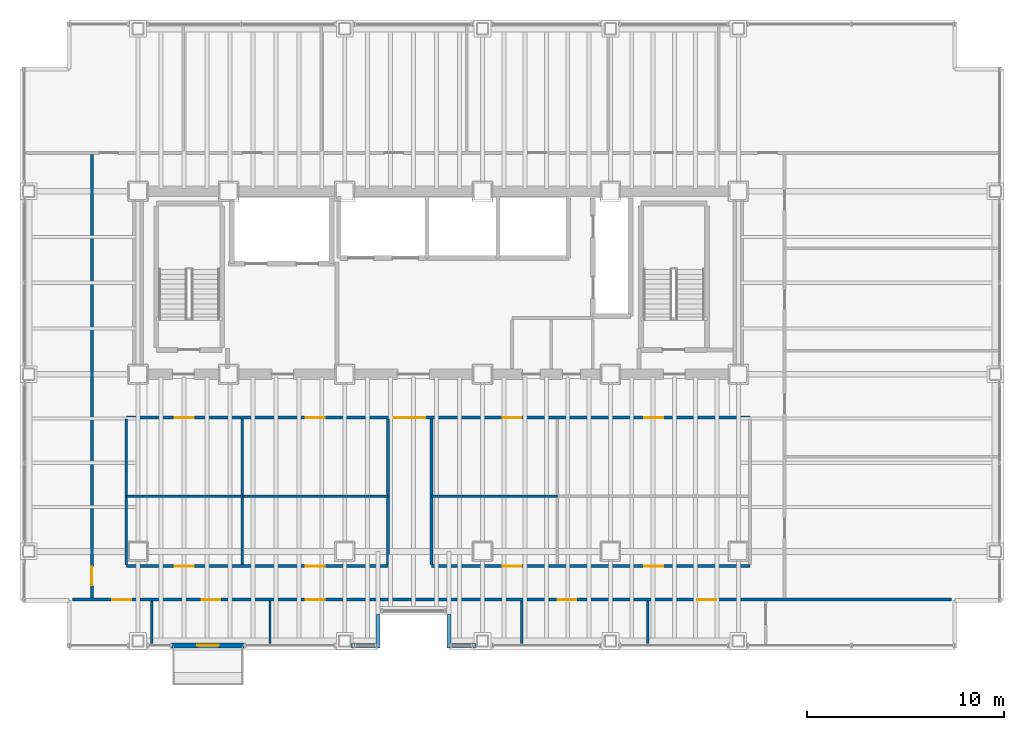
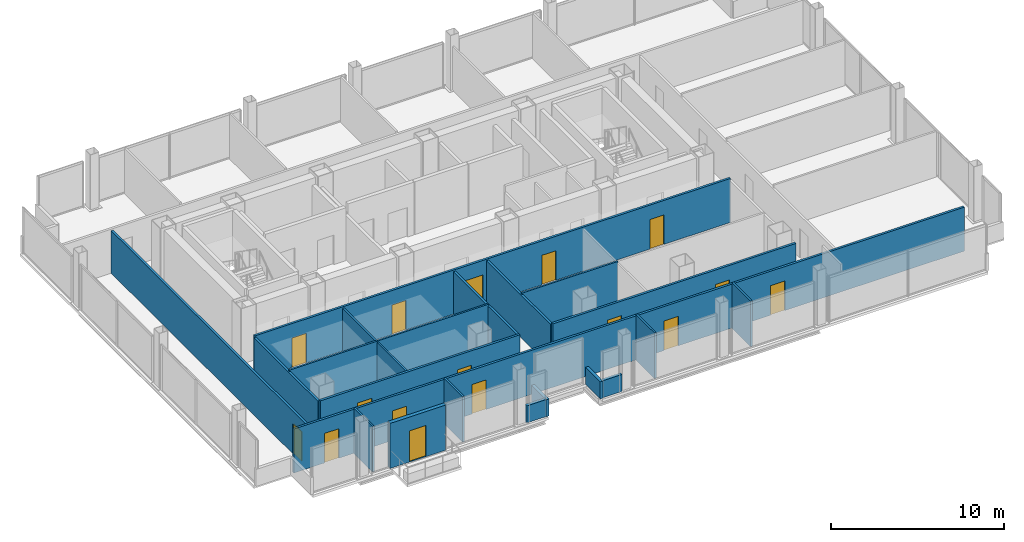
# One storey, part 17 of 20: 21 walls, 16 doors, 16 openings.
"""IFC4 building model written with IfcOpenShell, lengths in metres."""

from ifc_helpers import new_model, si_unit, direction, frame, frame_2d, origin, place, context, subcontext, project, spatial, rectangle, extrude, material, layer, layer_set, type_object, element, fill, save


model = new_model("IFC4")

# Units and contexts
model_context = context("Model", 3, precision=1e-05, world=origin(), true_north=direction((0.0, 1.0)))
body_context = subcontext(model_context, "Body", "Model", "MODEL_VIEW")
ifc_project = project(units=[si_unit("LENGTHUNIT", "METRE"), si_unit("AREAUNIT", "SQUARE_METRE"), si_unit("VOLUMEUNIT", "CUBIC_METRE"), si_unit("PLANEANGLEUNIT", "RADIAN"), si_unit("MASSUNIT", "GRAM", prefix="KILO")], contexts=[model_context])

# Site, building, storey
site_placement = place(None, origin())
site = spatial("IfcSite", under=ifc_project, at=site_placement, CompositionType="ELEMENT")
building_placement = place(site_placement, origin())
building = spatial("IfcBuilding", under=site, at=building_placement, Name="Noeulbin Bourse Tower", CompositionType="ELEMENT")
storey_placement = place(building_placement, frame((0.0, 0.0, 65.5)))
storey = spatial("IfcBuildingStorey", under=building, at=storey_placement, Name="L16", CompositionType="ELEMENT", Elevation=65.5)

# Wall, opening, door
ifc_material_1 = material(Name="Precast Concrete C40/50", Category="concrete")
ifc_layer_1 = layer(ifc_material_1, 0.25)
ifc_layer_set_1 = layer_set([ifc_layer_1], Name="Precast Concrete C40/50")
wall_type_1 = type_object("IfcWallType", Name="WAL-EXT-250", PredefinedType="STANDARD", material=ifc_layer_set_1)
wall_1_placement = place(storey_placement, frame((15.199951171875, 15.219970703125, 0.0), z_axis=(0.0, 0.0, 1.0), x_axis=(1.0, 0.0, 0.0)))
wall_1 = element("IfcWall", 1, at=wall_1_placement, inside=storey, type_object=wall_type_1, Name="Balcony Threshold Wall L16", PredefinedType="STANDARD", context=body_context, shape_type="SweptSolid", body=[
    extrude(rectangle(XDim=3.699951171875, YDim=0.25, at=frame_2d((1.85009765625, 0.0))), origin(), (0.0, 0.0, 1.0), 3.179931640625),
])
opening_1_placement = place(wall_1_placement, frame((1.300048828125, 0.0, 0.0)))
opening_1 = element("IfcOpeningElement", 2, at=opening_1_placement, cuts=wall_1, Name="Opening BD-11", PredefinedType="OPENING", context=body_context, shape_type="SweptSolid", body=[
    extrude(rectangle(XDim=1.10009765625, YDim=2.199951171875, at=frame_2d((0.550048828125, 1.10009765625))), frame((0.0, 0.135009765625, 0.0), z_axis=(0.0, -1.0, 0.0), x_axis=(1.0, 0.0, 0.0)), (0.0, 0.0, 1.0), 0.27001953125),
])
ifc_material_2 = material(Name="Thermally Broken Aluminium Framed Glass", Category="aluminium")
door_type_1 = type_object("IfcDoorType", Name="DR-BAL-1100", OperationType="SINGLE_SWING_LEFT", PredefinedType="DOOR", material=ifc_material_2)
door_1_placement = place(opening_1_placement, origin())
door_1 = element("IfcDoor", 3, at=door_1_placement, inside=storey, type_object=door_type_1, Name="Tree-Balcony Access Door BD-L16", OperationType="SINGLE_SWING_RIGHT", OverallHeight=2.199951171875, OverallWidth=1.10009765625, PredefinedType="DOOR", context=body_context, shape_type="SweptSolid", body=[
    extrude(rectangle(XDim=1.10009765625, YDim=2.199951171875, at=frame_2d((0.550048828125, 1.10009765625))), frame((0.0, 0.02490234375, 0.0), z_axis=(0.0, -1.0, 0.0), x_axis=(1.0, 0.0, 0.0)), (0.0, 0.0, 1.0), 0.050048828125),
])
fill(opening_1, door_1)

# Walls
ifc_material_3 = material(Name="Concrete C40/50", Category="concrete")
ifc_layer_2 = layer(ifc_material_3, 0.199951171875)
ifc_layer_set_2 = layer_set([ifc_layer_2], Name="Concrete C40/50")
wall_type_2 = type_object("IfcWallType", Name="WAL-PAR-200", PredefinedType="PARAPET", material=ifc_layer_set_2)
for number, where, z_axis, x_axis, name in (
    (4, (24.320068359375, 15.219970703125, 0.0), (0.0, 0.0, 1.0), (1.0, 0.0, 0.0), "Perimeter Pier Spandrel Parapet L16-S1"),
    (5, (29.35009765625, 15.219970703125, 0.0), (0.0, 0.0, 1.0), (1.0, 0.0, 0.0), "Perimeter Pier Spandrel Parapet L16-S2"),
):
    element("IfcWall", number, at=place(storey_placement, frame(where, z_axis=z_axis, x_axis=x_axis)), inside=storey, type_object=wall_type_2, Name=name, PredefinedType="PARAPET", context=body_context, shape_type="SweptSolid", body=[
        extrude(rectangle(XDim=1.329833984375, YDim=0.199951171875, at=frame_2d((0.6650390625, 0.0))), origin(), (0.0, 0.0, 1.0), 1.199951171875),
    ])
for number, where, z_axis, x_axis, name in (
    (6, (25.699951171875, 15.10009765625, 0.0), (0.0, 0.0, 1.0), (0.0, 1.0, 0.0), "Sky-Garden Recess Parapet L16-W"),
    (7, (29.300048828125, 16.800048828125, 0.0), (0.0, 0.0, 1.0), (0.0, -1.0, 0.0), "Sky-Garden Recess Parapet L16-E"),
):
    element("IfcWall", number, at=place(storey_placement, frame(where, z_axis=z_axis, x_axis=x_axis)), inside=storey, type_object=wall_type_2, Name=name, PredefinedType="PARAPET", context=body_context, shape_type="SweptSolid", body=[
        extrude(rectangle(XDim=1.699951171875, YDim=0.199951171875, at=frame_2d((0.85009765625, 0.0))), origin(), (0.0, 0.0, 1.0), 1.199951171875),
    ])
ifc_material_4 = material(Name="Steel Stud Gypsum Partition", Category="steel")
ifc_layer_3 = layer(ifc_material_4, 0.1201171875)
ifc_layer_set_3 = layer_set([ifc_layer_3], Name="Steel Stud Gypsum Partition")
wall_type_3 = type_object("IfcWallType", Name="WAL-PRT-120", PredefinedType="PARTITIONING", material=ifc_layer_set_3)
wall_2_placement = place(storey_placement, frame((12.89990234375, 22.800048828125, 0.0), z_axis=(0.0, 0.0, 1.0), x_axis=(1.0, 0.0, 0.0)))
element("IfcWall", 8, at=wall_2_placement, inside=storey, type_object=wall_type_3, Name="Interior Partition Wall L16-07", PredefinedType="PARTITIONING", context=body_context, shape_type="SweptSolid", body=[
    extrude(rectangle(XDim=5.900146484375, YDim=0.1201171875, at=frame_2d((2.9501953125, 0.0))), origin(), (0.0, 0.0, 1.0), 3.10009765625),
])
wall_3_placement = place(storey_placement, frame((18.800048828125, 22.800048828125, 0.0), z_axis=(0.0, 0.0, 1.0), x_axis=(1.0, 0.0, 0.0)))
element("IfcWall", 9, at=wall_3_placement, inside=storey, type_object=wall_type_3, Name="Interior Partition Wall L16-08", PredefinedType="PARTITIONING", context=body_context, shape_type="SweptSolid", body=[
    extrude(rectangle(XDim=7.39990234375, YDim=0.1201171875, at=frame_2d((3.699951171875, 0.0))), origin(), (0.0, 0.0, 1.0), 3.10009765625),
])
wall_4_placement = place(storey_placement, frame((28.39990234375, 22.800048828125, 0.0), z_axis=(0.0, 0.0, 1.0), x_axis=(1.0, 0.0, 0.0)))
element("IfcWall", 10, at=wall_4_placement, inside=storey, type_object=wall_type_3, Name="Interior Partition Wall L16-09", PredefinedType="PARTITIONING", context=body_context, shape_type="SweptSolid", body=[
    extrude(rectangle(XDim=6.400146484375, YDim=0.1201171875, at=frame_2d((3.2001953125, 0.0))), origin(), (0.0, 0.0, 1.0), 3.10009765625),
])
for number, where, z_axis, x_axis, name in (
    (11, (14.199951171875, 15.31005859375, 0.0), (0.0, 0.0, 1.0), (0.0, 1.0, 0.0), "Interior Partition Wall L16-27"),
    (12, (20.199951171875, 15.31005859375, 0.0), (0.0, 0.0, 1.0), (0.0, 1.0, 0.0), "Interior Partition Wall L16-28"),
    (13, (33.0, 15.31005859375, 0.0), (0.0, 0.0, 1.0), (0.0, 1.0, 0.0), "Interior Partition Wall L16-29"),
    (14, (39.39990234375, 15.31005859375, 0.0), (0.0, 0.0, 1.0), (0.0, 1.0, 0.0), "Interior Partition Wall L16-30"),
):
    element("IfcWall", number, at=place(storey_placement, frame(where, z_axis=z_axis, x_axis=x_axis)), inside=storey, type_object=wall_type_3, Name=name, PredefinedType="PARTITIONING", context=body_context, shape_type="SweptSolid", body=[
        extrude(rectangle(XDim=2.155029296875, YDim=0.1201171875, at=frame_2d((1.07763671875, 0.0))), origin(), (0.0, 0.0, 1.0), 3.2119140625),
    ])
wall_5_placement = place(storey_placement, frame((18.800048828125, 19.3349609375, 0.0), z_axis=(0.0, 0.0, 1.0), x_axis=(0.0, 1.0, 0.0)))
element("IfcWall", 15, at=wall_5_placement, inside=storey, type_object=wall_type_3, Name="Interior Partition Wall L16-32", PredefinedType="PARTITIONING", context=body_context, shape_type="SweptSolid", body=[
    extrude(rectangle(XDim=7.380126953125, YDim=0.1201171875, at=frame_2d((3.68994140625, 0.0))), origin(), (0.0, 0.0, 1.0), 3.0),
])

# Wall, openings, doors
ifc_material_5 = material(Name="Steel Stud Acoustic Gypsum Board", Category="steel")
ifc_layer_4 = layer(ifc_material_5, 0.14990234375)
ifc_layer_set_4 = layer_set([ifc_layer_4], Name="Steel Stud Acoustic Gypsum Board")
wall_type_4 = type_object("IfcWallType", Name="WAL-PRT-150", PredefinedType="PARTITIONING", material=ifc_layer_set_4)
wall_6_placement = place(storey_placement, frame((12.89990234375, 26.800048828125, 0.0), z_axis=(0.0, 0.0, 1.0), x_axis=(1.0, 0.0, 0.0)))
wall_6 = element("IfcWall", 16, at=wall_6_placement, inside=storey, type_object=wall_type_4, Name="Interior Partition Wall L16-03", PredefinedType="PARTITIONING", context=body_context, shape_type="SweptSolid", body=[
    extrude(rectangle(XDim=31.7001953125, YDim=0.14990234375, at=frame_2d((15.85009765625, 0.0))), origin(), (0.0, 0.0, 1.0), 3.10009765625),
])
opening_2_placement = place(wall_6_placement, frame((13.60009765625, 0.0, 0.0)))
opening_2 = element("IfcOpeningElement", 17, at=opening_2_placement, cuts=wall_6, Name="Opening ID-16", PredefinedType="OPENING", context=body_context, shape_type="SweptSolid", body=[
    extrude(rectangle(XDim=1.60009765625, YDim=2.080078125, at=frame_2d((0.800048828125, 1.0400390625))), frame((0.0, 0.0849609375, 0.0), z_axis=(0.0, -1.0, 0.0), x_axis=(1.0, 0.0, 0.0)), (0.0, 0.0, 1.0), 0.169921875),
])
opening_3_placement = place(wall_6_placement, frame((2.47509765625, 0.0, 0.0)))
opening_3 = element("IfcOpeningElement", 18, at=opening_3_placement, cuts=wall_6, Name="Opening ID-09", PredefinedType="OPENING", context=body_context, shape_type="SweptSolid", body=[
    extrude(rectangle(XDim=0.949951171875, YDim=2.080078125, at=frame_2d((0.47509765625, 1.0400390625))), frame((0.0, 0.0849609375, 0.0), z_axis=(0.0, -1.0, 0.0), x_axis=(1.0, 0.0, 0.0)), (0.0, 0.0, 1.0), 0.169921875),
])
opening_4_placement = place(wall_6_placement, frame((9.125, 0.0, 0.0)))
opening_4 = element("IfcOpeningElement", 19, at=opening_4_placement, cuts=wall_6, Name="Opening ID-09", PredefinedType="OPENING", context=body_context, shape_type="SweptSolid", body=[
    extrude(rectangle(XDim=0.949951171875, YDim=2.080078125, at=frame_2d((0.47509765625, 1.0400390625))), frame((0.0, 0.0849609375, 0.0), z_axis=(0.0, -1.0, 0.0), x_axis=(1.0, 0.0, 0.0)), (0.0, 0.0, 1.0), 0.169921875),
])
opening_5_placement = place(wall_6_placement, frame((19.125, 0.0, 0.0)))
opening_5 = element("IfcOpeningElement", 20, at=opening_5_placement, cuts=wall_6, Name="Opening ID-09", PredefinedType="OPENING", context=body_context, shape_type="SweptSolid", body=[
    extrude(rectangle(XDim=0.949951171875, YDim=2.080078125, at=frame_2d((0.47509765625, 1.0400390625))), frame((0.0, 0.0849609375, 0.0), z_axis=(0.0, -1.0, 0.0), x_axis=(1.0, 0.0, 0.0)), (0.0, 0.0, 1.0), 0.169921875),
])
opening_6_placement = place(wall_6_placement, frame((26.324951171875, 0.0, 0.0)))
opening_6 = element("IfcOpeningElement", 21, at=opening_6_placement, cuts=wall_6, Name="Opening ID-09", PredefinedType="OPENING", context=body_context, shape_type="SweptSolid", body=[
    extrude(rectangle(XDim=0.949951171875, YDim=2.080078125, at=frame_2d((0.47509765625, 1.0400390625))), frame((0.0, 0.0849609375, 0.0), z_axis=(0.0, -1.0, 0.0), x_axis=(1.0, 0.0, 0.0)), (0.0, 0.0, 1.0), 0.169921875),
])
ifc_material_6 = material(Name="Acoustic Glazed Aluminium", Category="aluminium")
door_type_2 = type_object("IfcDoorType", Name="DR-DBL-1600", OperationType="DOUBLE_DOOR_SINGLE_SWING", PredefinedType="DOOR", material=ifc_material_6)
door_2_placement = place(opening_2_placement, origin())
door_2 = element("IfcDoor", 22, at=door_2_placement, inside=storey, type_object=door_type_2, Name="Interior Door L16-07", OperationType="DOUBLE_DOOR_SINGLE_SWING", OverallHeight=2.080078125, OverallWidth=1.60009765625, PredefinedType="DOOR", context=body_context, shape_type="SweptSolid", body=[
    extrude(rectangle(XDim=1.60009765625, YDim=2.080078125, at=frame_2d((0.800048828125, 1.0400390625))), frame((0.0, 0.02490234375, 0.0), z_axis=(0.0, -1.0, 0.0), x_axis=(1.0, 0.0, 0.0)), (0.0, 0.0, 1.0), 0.050048828125),
])
fill(opening_2, door_2)
ifc_material_7 = material(Name="Acoustic Solid-Core Timber", Category="wood")
door_type_3 = type_object("IfcDoorType", Name="DR-SINGLE-950", OperationType="SINGLE_SWING_LEFT", PredefinedType="DOOR", material=ifc_material_7)
door_3_placement = place(opening_3_placement, origin())
door_3 = element("IfcDoor", 23, at=door_3_placement, inside=storey, type_object=door_type_3, Name="Interior Door L16-14", OperationType="SINGLE_SWING_LEFT", OverallHeight=2.080078125, OverallWidth=0.949951171875, PredefinedType="DOOR", context=body_context, shape_type="SweptSolid", body=[
    extrude(rectangle(XDim=0.949951171875, YDim=2.080078125, at=frame_2d((0.47509765625, 1.0400390625))), frame((0.0, 0.02490234375, 0.0), z_axis=(0.0, -1.0, 0.0), x_axis=(1.0, 0.0, 0.0)), (0.0, 0.0, 1.0), 0.050048828125),
])
fill(opening_3, door_3)
door_4_placement = place(opening_4_placement, origin())
door_4 = element("IfcDoor", 24, at=door_4_placement, inside=storey, type_object=door_type_3, Name="Interior Door L16-16", OperationType="SINGLE_SWING_LEFT", OverallHeight=2.080078125, OverallWidth=0.949951171875, PredefinedType="DOOR", context=body_context, shape_type="SweptSolid", body=[
    extrude(rectangle(XDim=0.949951171875, YDim=2.080078125, at=frame_2d((0.47509765625, 1.0400390625))), frame((0.0, 0.02490234375, 0.0), z_axis=(0.0, -1.0, 0.0), x_axis=(1.0, 0.0, 0.0)), (0.0, 0.0, 1.0), 0.050048828125),
])
fill(opening_4, door_4)
door_5_placement = place(opening_5_placement, origin())
door_5 = element("IfcDoor", 25, at=door_5_placement, inside=storey, type_object=door_type_3, Name="Interior Door L16-18", OperationType="SINGLE_SWING_LEFT", OverallHeight=2.080078125, OverallWidth=0.949951171875, PredefinedType="DOOR", context=body_context, shape_type="SweptSolid", body=[
    extrude(rectangle(XDim=0.949951171875, YDim=2.080078125, at=frame_2d((0.47509765625, 1.0400390625))), frame((0.0, 0.02490234375, 0.0), z_axis=(0.0, -1.0, 0.0), x_axis=(1.0, 0.0, 0.0)), (0.0, 0.0, 1.0), 0.050048828125),
])
fill(opening_5, door_5)
door_6_placement = place(opening_6_placement, origin())
door_6 = element("IfcDoor", 26, at=door_6_placement, inside=storey, type_object=door_type_3, Name="Interior Door L16-20", OperationType="SINGLE_SWING_LEFT", OverallHeight=2.080078125, OverallWidth=0.949951171875, PredefinedType="DOOR", context=body_context, shape_type="SweptSolid", body=[
    extrude(rectangle(XDim=0.949951171875, YDim=2.080078125, at=frame_2d((0.47509765625, 1.0400390625))), frame((0.0, 0.02490234375, 0.0), z_axis=(0.0, -1.0, 0.0), x_axis=(1.0, 0.0, 0.0)), (0.0, 0.0, 1.0), 0.050048828125),
])
fill(opening_6, door_6)

wall_7_placement = place(storey_placement, frame((10.159912109375, 17.550048828125, 0.0), z_axis=(0.0, 0.0, 1.0), x_axis=(1.0, 0.0, 0.0)))
wall_7 = element("IfcWall", 27, at=wall_7_placement, inside=storey, type_object=wall_type_4, Name="Interior Partition Wall L16-04", PredefinedType="PARTITIONING", context=body_context, shape_type="SweptSolid", body=[
    extrude(rectangle(XDim=44.68017578125, YDim=0.14990234375, at=frame_2d((22.340087890625, 0.0))), origin(), (0.0, 0.0, 1.0), 3.10009765625),
])
opening_7_placement = place(wall_7_placement, frame((2.0400390625, 0.0, 0.0)))
opening_7 = element("IfcOpeningElement", 28, at=opening_7_placement, cuts=wall_7, Name="Opening ID-09", PredefinedType="OPENING", context=body_context, shape_type="SweptSolid", body=[
    extrude(rectangle(XDim=0.949951171875, YDim=2.080078125, at=frame_2d((0.47509765625, 1.0400390625))), frame((0.0, 0.0849609375, 0.0), z_axis=(0.0, -1.0, 0.0), x_axis=(1.0, 0.0, 0.0)), (0.0, 0.0, 1.0), 0.169921875),
])
opening_8_placement = place(wall_7_placement, frame((6.56494140625, 0.0, 0.0)))
opening_8 = element("IfcOpeningElement", 29, at=opening_8_placement, cuts=wall_7, Name="Opening ID-09", PredefinedType="OPENING", context=body_context, shape_type="SweptSolid", body=[
    extrude(rectangle(XDim=0.949951171875, YDim=2.080078125, at=frame_2d((0.47509765625, 1.0400390625))), frame((0.0, 0.0849609375, 0.0), z_axis=(0.0, -1.0, 0.0), x_axis=(1.0, 0.0, 0.0)), (0.0, 0.0, 1.0), 0.169921875),
])
opening_9_placement = place(wall_7_placement, frame((11.864990234375, 0.0, 0.0)))
opening_9 = element("IfcOpeningElement", 30, at=opening_9_placement, cuts=wall_7, Name="Opening ID-09", PredefinedType="OPENING", context=body_context, shape_type="SweptSolid", body=[
    extrude(rectangle(XDim=0.949951171875, YDim=2.080078125, at=frame_2d((0.47509765625, 1.0400390625))), frame((0.0, 0.0849609375, 0.0), z_axis=(0.0, -1.0, 0.0), x_axis=(1.0, 0.0, 0.0)), (0.0, 0.0, 1.0), 0.169921875),
])
opening_10_placement = place(wall_7_placement, frame((24.6650390625, 0.0, 0.0)))
opening_10 = element("IfcOpeningElement", 31, at=opening_10_placement, cuts=wall_7, Name="Opening ID-09", PredefinedType="OPENING", context=body_context, shape_type="SweptSolid", body=[
    extrude(rectangle(XDim=0.949951171875, YDim=2.080078125, at=frame_2d((0.47509765625, 1.0400390625))), frame((0.0, 0.0849609375, 0.0), z_axis=(0.0, -1.0, 0.0), x_axis=(1.0, 0.0, 0.0)), (0.0, 0.0, 1.0), 0.169921875),
])
opening_11_placement = place(wall_7_placement, frame((31.764892578125, 0.0, 0.0)))
opening_11 = element("IfcOpeningElement", 32, at=opening_11_placement, cuts=wall_7, Name="Opening ID-09", PredefinedType="OPENING", context=body_context, shape_type="SweptSolid", body=[
    extrude(rectangle(XDim=0.949951171875, YDim=2.080078125, at=frame_2d((0.47509765625, 1.0400390625))), frame((0.0, 0.0849609375, 0.0), z_axis=(0.0, -1.0, 0.0), x_axis=(1.0, 0.0, 0.0)), (0.0, 0.0, 1.0), 0.169921875),
])
door_7_placement = place(opening_7_placement, origin())
door_7 = element("IfcDoor", 33, at=door_7_placement, inside=storey, type_object=door_type_3, Name="Interior Door L16-08", OperationType="SINGLE_SWING_LEFT", OverallHeight=2.080078125, OverallWidth=0.949951171875, PredefinedType="DOOR", context=body_context, shape_type="SweptSolid", body=[
    extrude(rectangle(XDim=0.949951171875, YDim=2.080078125, at=frame_2d((0.47509765625, 1.0400390625))), frame((0.0, 0.02490234375, 0.0), z_axis=(0.0, -1.0, 0.0), x_axis=(1.0, 0.0, 0.0)), (0.0, 0.0, 1.0), 0.050048828125),
])
fill(opening_7, door_7)
door_8_placement = place(opening_8_placement, origin())
door_8 = element("IfcDoor", 34, at=door_8_placement, inside=storey, type_object=door_type_3, Name="Interior Door L16-09", OperationType="SINGLE_SWING_RIGHT", OverallHeight=2.080078125, OverallWidth=0.949951171875, PredefinedType="DOOR", context=body_context, shape_type="SweptSolid", body=[
    extrude(rectangle(XDim=0.949951171875, YDim=2.080078125, at=frame_2d((0.47509765625, 1.0400390625))), frame((0.0, 0.02490234375, 0.0), z_axis=(0.0, -1.0, 0.0), x_axis=(1.0, 0.0, 0.0)), (0.0, 0.0, 1.0), 0.050048828125),
])
fill(opening_8, door_8)
door_9_placement = place(opening_9_placement, origin())
door_9 = element("IfcDoor", 35, at=door_9_placement, inside=storey, type_object=door_type_3, Name="Interior Door L16-10", OperationType="SINGLE_SWING_LEFT", OverallHeight=2.080078125, OverallWidth=0.949951171875, PredefinedType="DOOR", context=body_context, shape_type="SweptSolid", body=[
    extrude(rectangle(XDim=0.949951171875, YDim=2.080078125, at=frame_2d((0.47509765625, 1.0400390625))), frame((0.0, 0.02490234375, 0.0), z_axis=(0.0, -1.0, 0.0), x_axis=(1.0, 0.0, 0.0)), (0.0, 0.0, 1.0), 0.050048828125),
])
fill(opening_9, door_9)
door_10_placement = place(opening_10_placement, origin())
door_10 = element("IfcDoor", 36, at=door_10_placement, inside=storey, type_object=door_type_3, Name="Interior Door L16-11", OperationType="SINGLE_SWING_RIGHT", OverallHeight=2.080078125, OverallWidth=0.949951171875, PredefinedType="DOOR", context=body_context, shape_type="SweptSolid", body=[
    extrude(rectangle(XDim=0.949951171875, YDim=2.080078125, at=frame_2d((0.47509765625, 1.0400390625))), frame((0.0, 0.02490234375, 0.0), z_axis=(0.0, -1.0, 0.0), x_axis=(1.0, 0.0, 0.0)), (0.0, 0.0, 1.0), 0.050048828125),
])
fill(opening_10, door_10)
door_11_placement = place(opening_11_placement, origin())
door_11 = element("IfcDoor", 37, at=door_11_placement, inside=storey, type_object=door_type_3, Name="Interior Door L16-12", OperationType="SINGLE_SWING_LEFT", OverallHeight=2.080078125, OverallWidth=0.949951171875, PredefinedType="DOOR", context=body_context, shape_type="SweptSolid", body=[
    extrude(rectangle(XDim=0.949951171875, YDim=2.080078125, at=frame_2d((0.47509765625, 1.0400390625))), frame((0.0, 0.02490234375, 0.0), z_axis=(0.0, -1.0, 0.0), x_axis=(1.0, 0.0, 0.0)), (0.0, 0.0, 1.0), 0.050048828125),
])
fill(opening_11, door_11)

wall_8_placement = place(storey_placement, frame((12.89990234375, 19.25, 0.0), z_axis=(0.0, 0.0, 1.0), x_axis=(1.0, 0.0, 0.0)))
wall_8 = element("IfcWall", 38, at=wall_8_placement, inside=storey, type_object=wall_type_4, Name="Interior Partition Wall L16-05", PredefinedType="PARTITIONING", context=body_context, shape_type="SweptSolid", body=[
    extrude(rectangle(XDim=13.300048828125, YDim=0.14990234375, at=frame_2d((6.64990234375, 0.0))), origin(), (0.0, 0.0, 1.0), 3.10009765625),
])
opening_12_placement = place(wall_8_placement, frame((2.47509765625, 0.0, 0.0)))
opening_12 = element("IfcOpeningElement", 39, at=opening_12_placement, cuts=wall_8, Name="Opening ID-09", PredefinedType="OPENING", context=body_context, shape_type="SweptSolid", body=[
    extrude(rectangle(XDim=0.949951171875, YDim=2.080078125, at=frame_2d((0.47509765625, 1.0400390625))), frame((0.0, 0.0849609375, 0.0), z_axis=(0.0, -1.0, 0.0), x_axis=(1.0, 0.0, 0.0)), (0.0, 0.0, 1.0), 0.169921875),
])
opening_13_placement = place(wall_8_placement, frame((9.125, 0.0, 0.0)))
opening_13 = element("IfcOpeningElement", 40, at=opening_13_placement, cuts=wall_8, Name="Opening ID-09", PredefinedType="OPENING", context=body_context, shape_type="SweptSolid", body=[
    extrude(rectangle(XDim=0.949951171875, YDim=2.080078125, at=frame_2d((0.47509765625, 1.0400390625))), frame((0.0, 0.0849609375, 0.0), z_axis=(0.0, -1.0, 0.0), x_axis=(1.0, 0.0, 0.0)), (0.0, 0.0, 1.0), 0.169921875),
])
door_12_placement = place(opening_12_placement, origin())
door_12 = element("IfcDoor", 41, at=door_12_placement, inside=storey, type_object=door_type_3, Name="Interior Door L16-15", OperationType="SINGLE_SWING_RIGHT", OverallHeight=2.080078125, OverallWidth=0.949951171875, PredefinedType="DOOR", context=body_context, shape_type="SweptSolid", body=[
    extrude(rectangle(XDim=0.949951171875, YDim=2.080078125, at=frame_2d((0.47509765625, 1.0400390625))), frame((0.0, 0.02490234375, 0.0), z_axis=(0.0, -1.0, 0.0), x_axis=(1.0, 0.0, 0.0)), (0.0, 0.0, 1.0), 0.050048828125),
])
fill(opening_12, door_12)
door_13_placement = place(opening_13_placement, origin())
door_13 = element("IfcDoor", 42, at=door_13_placement, inside=storey, type_object=door_type_3, Name="Interior Door L16-17", OperationType="SINGLE_SWING_RIGHT", OverallHeight=2.080078125, OverallWidth=0.949951171875, PredefinedType="DOOR", context=body_context, shape_type="SweptSolid", body=[
    extrude(rectangle(XDim=0.949951171875, YDim=2.080078125, at=frame_2d((0.47509765625, 1.0400390625))), frame((0.0, 0.02490234375, 0.0), z_axis=(0.0, -1.0, 0.0), x_axis=(1.0, 0.0, 0.0)), (0.0, 0.0, 1.0), 0.050048828125),
])
fill(opening_13, door_13)

wall_9_placement = place(storey_placement, frame((28.39990234375, 19.25, 0.0), z_axis=(0.0, 0.0, 1.0), x_axis=(1.0, 0.0, 0.0)))
wall_9 = element("IfcWall", 43, at=wall_9_placement, inside=storey, type_object=wall_type_4, Name="Interior Partition Wall L16-06", PredefinedType="PARTITIONING", context=body_context, shape_type="SweptSolid", body=[
    extrude(rectangle(XDim=16.2001953125, YDim=0.14990234375, at=frame_2d((8.10009765625, 0.0))), origin(), (0.0, 0.0, 1.0), 3.10009765625),
])
opening_14_placement = place(wall_9_placement, frame((3.625, 0.0, 0.0)))
opening_14 = element("IfcOpeningElement", 44, at=opening_14_placement, cuts=wall_9, Name="Opening ID-09", PredefinedType="OPENING", context=body_context, shape_type="SweptSolid", body=[
    extrude(rectangle(XDim=0.949951171875, YDim=2.080078125, at=frame_2d((0.47509765625, 1.0400390625))), frame((0.0, 0.0849609375, 0.0), z_axis=(0.0, -1.0, 0.0), x_axis=(1.0, 0.0, 0.0)), (0.0, 0.0, 1.0), 0.169921875),
])
opening_15_placement = place(wall_9_placement, frame((10.824951171875, 0.0, 0.0)))
opening_15 = element("IfcOpeningElement", 45, at=opening_15_placement, cuts=wall_9, Name="Opening ID-09", PredefinedType="OPENING", context=body_context, shape_type="SweptSolid", body=[
    extrude(rectangle(XDim=0.949951171875, YDim=2.080078125, at=frame_2d((0.47509765625, 1.0400390625))), frame((0.0, 0.0849609375, 0.0), z_axis=(0.0, -1.0, 0.0), x_axis=(1.0, 0.0, 0.0)), (0.0, 0.0, 1.0), 0.169921875),
])
door_14_placement = place(opening_14_placement, origin())
door_14 = element("IfcDoor", 46, at=door_14_placement, inside=storey, type_object=door_type_3, Name="Interior Door L16-19", OperationType="SINGLE_SWING_RIGHT", OverallHeight=2.080078125, OverallWidth=0.949951171875, PredefinedType="DOOR", context=body_context, shape_type="SweptSolid", body=[
    extrude(rectangle(XDim=0.949951171875, YDim=2.080078125, at=frame_2d((0.47509765625, 1.0400390625))), frame((0.0, 0.02490234375, 0.0), z_axis=(0.0, -1.0, 0.0), x_axis=(1.0, 0.0, 0.0)), (0.0, 0.0, 1.0), 0.050048828125),
])
fill(opening_14, door_14)
door_15_placement = place(opening_15_placement, origin())
door_15 = element("IfcDoor", 47, at=door_15_placement, inside=storey, type_object=door_type_3, Name="Interior Door L16-21", OperationType="SINGLE_SWING_RIGHT", OverallHeight=2.080078125, OverallWidth=0.949951171875, PredefinedType="DOOR", context=body_context, shape_type="SweptSolid", body=[
    extrude(rectangle(XDim=0.949951171875, YDim=2.080078125, at=frame_2d((0.47509765625, 1.0400390625))), frame((0.0, 0.02490234375, 0.0), z_axis=(0.0, -1.0, 0.0), x_axis=(1.0, 0.0, 0.0)), (0.0, 0.0, 1.0), 0.050048828125),
])
fill(opening_15, door_15)

# Walls
for number, where, z_axis, x_axis, name in (
    (48, (26.199951171875, 19.3349609375, 0.0), (0.0, 0.0, 1.0), (0.0, 1.0, 0.0), "Interior Partition Wall L16-21"),
    (49, (28.39990234375, 19.3349609375, 0.0), (0.0, 0.0, 1.0), (0.0, 1.0, 0.0), "Interior Partition Wall L16-22"),
):
    element("IfcWall", number, at=place(storey_placement, frame(where, z_axis=z_axis, x_axis=x_axis)), inside=storey, type_object=wall_type_4, Name=name, PredefinedType="PARTITIONING", context=body_context, shape_type="SweptSolid", body=[
        extrude(rectangle(XDim=7.380126953125, YDim=0.14990234375, at=frame_2d((3.68994140625, 0.0))), origin(), (0.0, 0.0, 1.0), 3.0),
    ])

# Wall, opening, door
wall_10_placement = place(storey_placement, frame((11.14990234375, 17.635009765625, 0.0), z_axis=(0.0, 0.0, 1.0), x_axis=(0.0, 1.0, 0.0)))
wall_10 = element("IfcWall", 50, at=wall_10_placement, inside=storey, type_object=wall_type_4, Name="Interior Partition Wall L16-23", PredefinedType="PARTITIONING", context=body_context, shape_type="SweptSolid", body=[
    extrude(rectangle(XDim=22.530029296875, YDim=0.14990234375, at=frame_2d((11.26513671875, 0.0))), origin(), (0.0, 0.0, 1.0), 3.0),
])
opening_16_placement = place(wall_10_placement, frame((0.639892578125, 0.0, 0.0)))
opening_16 = element("IfcOpeningElement", 51, at=opening_16_placement, cuts=wall_10, Name="Opening ID-09", PredefinedType="OPENING", context=body_context, shape_type="SweptSolid", body=[
    extrude(rectangle(XDim=0.949951171875, YDim=2.080078125, at=frame_2d((0.47509765625, 1.0400390625))), frame((0.0, 0.0849609375, 0.0), z_axis=(0.0, -1.0, 0.0), x_axis=(1.0, 0.0, 0.0)), (0.0, 0.0, 1.0), 0.169921875),
])
door_16_placement = place(opening_16_placement, origin())
door_16 = element("IfcDoor", 52, at=door_16_placement, inside=storey, type_object=door_type_3, Name="Interior Door L16-22", OperationType="SINGLE_SWING_LEFT", OverallHeight=2.080078125, OverallWidth=0.949951171875, PredefinedType="DOOR", context=body_context, shape_type="SweptSolid", body=[
    extrude(rectangle(XDim=0.949951171875, YDim=2.080078125, at=frame_2d((0.47509765625, 1.0400390625))), frame((0.0, 0.02490234375, 0.0), z_axis=(0.0, -1.0, 0.0), x_axis=(1.0, 0.0, 0.0)), (0.0, 0.0, 1.0), 0.050048828125),
])
fill(opening_16, door_16)

# Wall
wall_11_placement = place(storey_placement, frame((12.89990234375, 19.3349609375, 0.0), z_axis=(0.0, 0.0, 1.0), x_axis=(0.0, 1.0, 0.0)))
element("IfcWall", 53, at=wall_11_placement, inside=storey, type_object=wall_type_4, Name="Interior Partition Wall L16-24", PredefinedType="PARTITIONING", context=body_context, shape_type="SweptSolid", body=[
    extrude(rectangle(XDim=7.380126953125, YDim=0.14990234375, at=frame_2d((3.68994140625, 0.0))), origin(), (0.0, 0.0, 1.0), 3.0),
])

save(model, "model.ifc")
